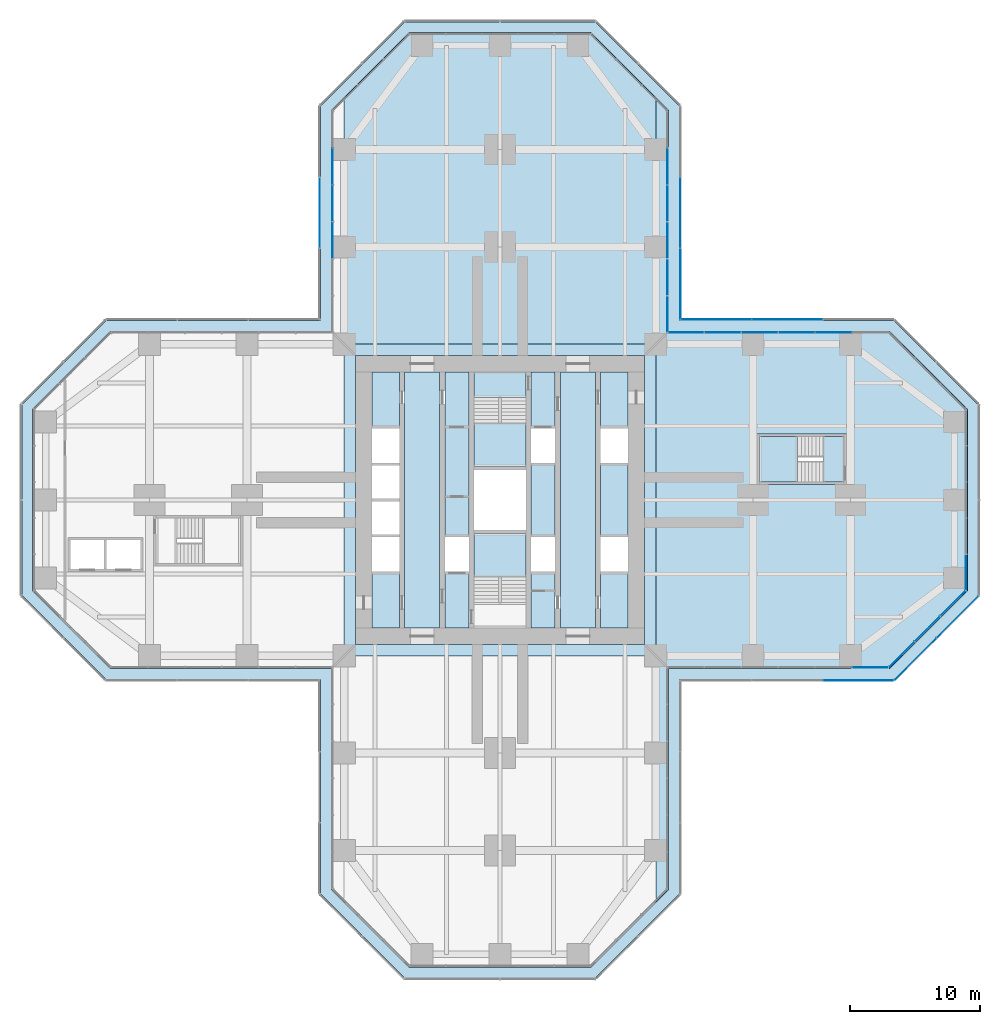
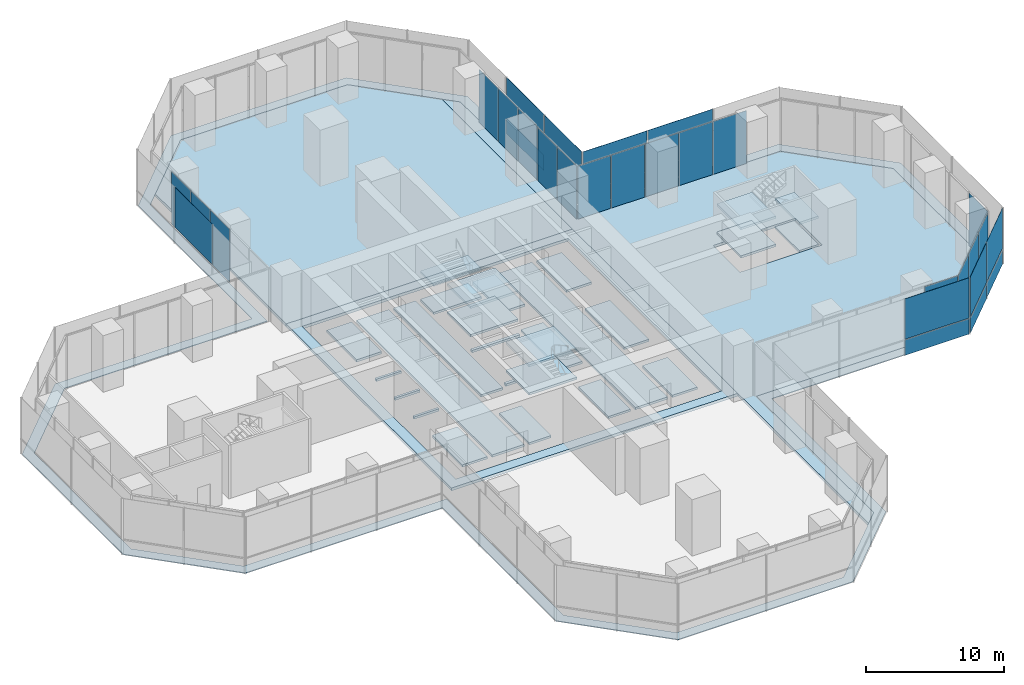
# One storey, part 15 of 23: 34 plates, 14 slabs, 14 elements without a shape of their own.
"""IFC4 building model written with IfcOpenShell, lengths in metres."""

from ifc_helpers import new_model, si_unit, direction, frame, origin, origin_2d, place, context, subcontext, project, spatial, polyline, rectangle, outline, extrude, material, layer, layer_set, type_object, element, aggregate, save


model = new_model("IFC4")

# Units and contexts
model_context = context("Model", 3, precision=1e-05, world=origin(), true_north=direction((0.0, 1.0)))
body_context = subcontext(model_context, "Body", "Model", "MODEL_VIEW")
ifc_project = project(units=[si_unit("LENGTHUNIT", "METRE"), si_unit("AREAUNIT", "SQUARE_METRE"), si_unit("VOLUMEUNIT", "CUBIC_METRE"), si_unit("PLANEANGLEUNIT", "RADIAN"), si_unit("MASSUNIT", "GRAM", prefix="KILO")], contexts=[model_context])

# Site, building, storey
site_placement = place(None, origin())
site = spatial("IfcSite", under=ifc_project, at=site_placement, CompositionType="ELEMENT")
building_placement = place(site_placement, origin())
building = spatial("IfcBuilding", under=site, at=building_placement, Name="Mizan Broadcast Tower", CompositionType="ELEMENT")
storey_placement = place(building_placement, frame((0.0, 0.0, 23.0)))
storey = spatial("IfcBuildingStorey", under=building, at=storey_placement, Name="L03", CompositionType="ELEMENT", Elevation=23.0)

# Plate
ifc_material_1 = material(Name="Aluminium grating", Category="aluminium")
ifc_layer_1 = layer(ifc_material_1, 0.050048828125)
ifc_layer_set_1 = layer_set([ifc_layer_1], Name="Aluminium grating")
plate_type_1 = type_object("IfcPlateType", Name="CAVITY GRATING", PredefinedType="USERDEFINED", material=ifc_layer_set_1)
plate_1_placement = place(storey_placement, frame((0.0, 0.0, -0.050048828125)))
element("IfcPlate", 1, at=plate_1_placement, inside=storey, type_object=plate_type_1, Name="Cavity grating L03", ObjectType="GRATING", PredefinedType="USERDEFINED", context=body_context, shape_type="SweptSolid", body=[
    extrude(outline(polyline([(7.339599609375, -36.820068359375), (13.820068359375, -30.339599609375), (13.820068359375, -13.820068359375), (30.339599609375, -13.820068359375), (36.820068359375, -7.339599609375), (36.820068359375, 7.339599609375), (30.339599609375, 13.820068359375), (13.820068359375, 13.820068359375), (13.820068359375, 30.339599609375), (7.339599609375, 36.820068359375), (-7.339599609375, 36.820068359375), (-13.820068359375, 30.339599609375), (-13.820068359375, 13.820068359375), (-30.339599609375, 13.820068359375), (-36.820068359375, 7.339599609375), (-36.820068359375, -7.339599609375), (-30.339599609375, -13.820068359375), (-13.820068359375, -13.820068359375), (-13.820068359375, -30.339599609375), (-7.339599609375, -36.820068359375), (7.339599609375, -36.820068359375)]), holes=[polyline([(36.0, -7.0), (30.0, -13.0), (13.0, -13.0), (13.0, -30.0), (7.0, -36.0), (-7.0, -36.0), (-13.0, -30.0), (-13.0, -13.0), (-30.0, -13.0), (-36.0, -7.0), (-36.0, 7.0), (-30.0, 13.0), (-13.0, 13.0), (-13.0, 30.0), (-7.0, 36.0), (7.0, 36.0), (13.0, 30.0), (13.0, 13.0), (30.0, 13.0), (36.0, 7.0), (36.0, -7.0)])]), origin(), (0.0, 0.0, 1.0), 0.050048828125),
])

# Slab
ifc_material_2 = material(Name="Concrete C40/50", Category="concrete")
ifc_layer_2 = layer(ifc_material_2, 0.199951171875)
ifc_layer_set_2 = layer_set([ifc_layer_2], Name="Concrete C40/50")
slab_type_1 = type_object("IfcSlabType", Name="CORE FLOOR 200", PredefinedType="FLOOR", material=ifc_layer_set_2)
slab_1_placement = place(storey_placement, frame((0.0, 0.0, -0.199951171875)))
element("IfcSlab", 2, at=slab_1_placement, inside=storey, type_object=slab_type_1, Name="Core floor L03", PredefinedType="FLOOR", context=body_context, shape_type="SweptSolid", body=[
    extrude(outline(polyline([(-9.85009765625, -9.85009765625), (-7.75, -9.85009765625), (-7.75, -5.5), (-9.85009765625, -5.5), (-9.85009765625, -9.85009765625)])), origin(), (0.0, 0.0, 1.0), 0.199951171875),
    extrude(outline(polyline([(-9.85009765625, -2.85009765625), (-7.75, -2.85009765625), (-7.75, -2.64990234375), (-9.85009765625, -2.64990234375), (-9.85009765625, -2.85009765625)])), origin(), (0.0, 0.0, 1.0), 0.199951171875),
    extrude(outline(polyline([(-9.85009765625, -0.10009765625), (-7.75, -0.10009765625), (-7.75, 0.10009765625), (-9.85009765625, 0.10009765625), (-9.85009765625, -0.10009765625)])), origin(), (0.0, 0.0, 1.0), 0.199951171875),
    extrude(outline(polyline([(-9.85009765625, 2.64990234375), (-7.75, 2.64990234375), (-7.75, 2.85009765625), (-9.85009765625, 2.85009765625), (-9.85009765625, 2.64990234375)])), origin(), (0.0, 0.0, 1.0), 0.199951171875),
    extrude(outline(polyline([(-9.85009765625, 5.5), (-7.75, 5.5), (-7.75, 9.85009765625), (-9.85009765625, 9.85009765625), (-9.85009765625, 5.5)])), origin(), (0.0, 0.0, 1.0), 0.199951171875),
    extrude(outline(polyline([(-4.64990234375, 9.85009765625), (-7.35009765625, 9.85009765625), (-7.35009765625, -9.85009765625), (-4.64990234375, -9.85009765625), (-4.64990234375, 9.85009765625)])), origin(), (0.0, 0.0, 1.0), 0.199951171875),
    extrude(outline(polyline([(-4.25, -5.5), (-4.25, -9.85009765625), (-2.39990234375, -9.85009765625), (-2.39990234375, -5.5), (-4.25, -5.5)])), origin(), (0.0, 0.0, 1.0), 0.199951171875),
    extrude(outline(polyline([(-4.25, -2.85009765625), (-2.39990234375, -2.85009765625), (-2.39990234375, 9.85009765625), (-4.25, 9.85009765625), (-4.25, -2.85009765625)])), origin(), (0.0, 0.0, 1.0), 0.199951171875),
    extrude(outline(polyline([(2.0, -2.324951171875), (-2.0, -2.324951171875), (-2.0, -2.574951171875), (2.0, -2.574951171875), (2.0, -2.324951171875)])), origin(), (0.0, 0.0, 1.0), 0.199951171875),
    extrude(outline(polyline([(2.0, 2.574951171875), (-2.0, 2.574951171875), (-2.0, 2.324951171875), (2.0, 2.324951171875), (2.0, 2.574951171875)])), origin(), (0.0, 0.0, 1.0), 0.199951171875),
    extrude(outline(polyline([(4.25, -9.85009765625), (4.25, -5.5), (2.39990234375, -5.5), (2.39990234375, -9.85009765625), (4.25, -9.85009765625)])), origin(), (0.0, 0.0, 1.0), 0.199951171875),
    extrude(outline(polyline([(4.25, -2.85009765625), (4.25, 2.85009765625), (2.39990234375, 2.85009765625), (2.39990234375, -2.85009765625), (4.25, -2.85009765625)])), origin(), (0.0, 0.0, 1.0), 0.199951171875),
    extrude(outline(polyline([(4.25, 5.5), (4.25, 9.85009765625), (2.39990234375, 9.85009765625), (2.39990234375, 5.5), (4.25, 5.5)])), origin(), (0.0, 0.0, 1.0), 0.199951171875),
    extrude(outline(polyline([(4.64990234375, 9.85009765625), (4.64990234375, -9.85009765625), (7.35009765625, -9.85009765625), (7.35009765625, 9.85009765625), (4.64990234375, 9.85009765625)])), origin(), (0.0, 0.0, 1.0), 0.199951171875),
    extrude(outline(polyline([(9.85009765625, -9.85009765625), (9.85009765625, -5.5), (7.75, -5.5), (7.75, -9.85009765625), (9.85009765625, -9.85009765625)])), origin(), (0.0, 0.0, 1.0), 0.199951171875),
    extrude(outline(polyline([(7.75, 2.85009765625), (7.75, -2.85009765625), (9.85009765625, -2.85009765625), (9.85009765625, 2.85009765625), (7.75, 2.85009765625)])), origin(), (0.0, 0.0, 1.0), 0.199951171875),
    extrude(outline(polyline([(9.85009765625, 5.5), (9.85009765625, 9.85009765625), (7.75, 9.85009765625), (7.75, 5.5), (9.85009765625, 5.5)])), origin(), (0.0, 0.0, 1.0), 0.199951171875),
])

# Curtain wall, plates
ifc_material_3 = material(Name="Aluminium framed glazing", Category="aluminium")
curtain_wall_type_1 = type_object("IfcCurtainWallType", Name="OUTER SKIN", PredefinedType="USERDEFINED", material=ifc_material_3)
curtain_wall_1_placement = place(storey_placement, origin())
curtain_wall_1 = element("IfcCurtainWall", 3, at=curtain_wall_1_placement, inside=storey, type_object=curtain_wall_type_1, Name="Outer skin L03 E side", ObjectType="OUTER SKIN", PredefinedType="USERDEFINED")
ifc_material_4 = material(Name="Laminated clear glass", Category="glass")
ifc_layer_3 = layer(ifc_material_4, 0.02001953125)
ifc_layer_set_3 = layer_set([ifc_layer_3], Name="Laminated clear glass")
plate_type_2 = type_object("IfcPlateType", Name="OUTER SKIN CLEAR GLASS", PredefinedType="CURTAIN_PANEL", material=ifc_layer_set_3)
plate_2_placement = place(storey_placement, frame((27.607421875, -13.89990234375, 0.0), z_axis=(0.0, 0.0, 1.0), x_axis=(1.0, 0.0, 0.0)))
plate_2 = element("IfcPlate", 4, at=plate_2_placement, type_object=plate_type_2, Name="Outer skin L03 E side panel 3.1", PredefinedType="CURTAIN_PANEL", context=body_context, shape_type="SweptSolid", body=[
    extrude(rectangle(XDim=5.370849609375, YDim=0.02001953125, at=origin_2d()), origin(), (0.0, 0.0, 1.0), 1.3701171875),
])
plate_3_placement = place(storey_placement, frame((27.607421875, -13.89990234375, 1.43017578125), z_axis=(0.0, 0.0, 1.0), x_axis=(1.0, 0.0, 0.0)))
plate_3 = element("IfcPlate", 5, at=plate_3_placement, type_object=plate_type_2, Name="Outer skin L03 E side panel 3.2", PredefinedType="CURTAIN_PANEL", context=body_context, shape_type="SweptSolid", body=[
    extrude(rectangle(XDim=5.370849609375, YDim=0.02001953125, at=origin_2d()), origin(), (0.0, 0.0, 1.0), 3.570068359375),
])
aggregate(curtain_wall_1, [plate_2, plate_3])

curtain_wall_2_placement = place(storey_placement, origin())
curtain_wall_2 = element("IfcCurtainWall", 6, at=curtain_wall_2_placement, inside=storey, type_object=curtain_wall_type_1, Name="Outer skin L03 E chamfer", ObjectType="OUTER SKIN", PredefinedType="USERDEFINED")
plate_4_placement = place(storey_placement, frame((32.018798828125, -12.254150390625, 0.0), z_axis=(0.0, 0.0, 1.0), x_axis=(0.707106781187, 0.707106781187, 0.0)))
plate_4 = element("IfcPlate", 7, at=plate_4_placement, type_object=plate_type_2, Name="Outer skin L03 E chamfer panel 1.1", PredefinedType="CURTAIN_PANEL", context=body_context, shape_type="SweptSolid", body=[
    extrude(rectangle(XDim=4.495361328125, YDim=0.02001953125, at=origin_2d()), origin(), (0.0, 0.0, 1.0), 1.3701171875),
])
plate_5_placement = place(storey_placement, frame((32.018798828125, -12.254150390625, 1.43017578125), z_axis=(0.0, 0.0, 1.0), x_axis=(0.707106781187, 0.707106781187, 0.0)))
plate_5 = element("IfcPlate", 8, at=plate_5_placement, type_object=plate_type_2, Name="Outer skin L03 E chamfer panel 1.2", PredefinedType="CURTAIN_PANEL", context=body_context, shape_type="SweptSolid", body=[
    extrude(rectangle(XDim=4.495361328125, YDim=0.02001953125, at=origin_2d()), origin(), (0.0, 0.0, 1.0), 3.570068359375),
])

curtain_wall_3_placement = place(storey_placement, origin())
curtain_wall_3 = element("IfcCurtainWall", 9, at=curtain_wall_3_placement, inside=storey, type_object=curtain_wall_type_1, Name="Outer skin L03 E side", ObjectType="OUTER SKIN", PredefinedType="USERDEFINED")
plate_6_placement = place(storey_placement, frame((22.136474609375, 13.89990234375, 0.0), z_axis=(0.0, 0.0, 1.0), x_axis=(-1.0, 0.0, 0.0)))
plate_6 = element("IfcPlate", 10, at=plate_6_placement, type_object=plate_type_2, Name="Outer skin L03 E side panel 2.1", PredefinedType="CURTAIN_PANEL", context=body_context, shape_type="SweptSolid", body=[
    extrude(rectangle(XDim=5.410888671875, YDim=0.02001953125, at=origin_2d()), origin(), (0.0, 0.0, 1.0), 1.3701171875),
])
plate_7_placement = place(storey_placement, frame((22.136474609375, 13.89990234375, 1.43017578125), z_axis=(0.0, 0.0, 1.0), x_axis=(-1.0, 0.0, 0.0)))
plate_7 = element("IfcPlate", 11, at=plate_7_placement, type_object=plate_type_2, Name="Outer skin L03 E side panel 2.2", PredefinedType="CURTAIN_PANEL", context=body_context, shape_type="SweptSolid", body=[
    extrude(rectangle(XDim=5.410888671875, YDim=0.02001953125, at=origin_2d()), origin(), (0.0, 0.0, 1.0), 3.570068359375),
])
plate_8_placement = place(storey_placement, frame((16.66552734375, 13.89990234375, 0.0), z_axis=(0.0, 0.0, 1.0), x_axis=(-1.0, 0.0, 0.0)))
plate_8 = element("IfcPlate", 12, at=plate_8_placement, type_object=plate_type_2, Name="Outer skin L03 E side panel 3.1", PredefinedType="CURTAIN_PANEL", context=body_context, shape_type="SweptSolid", body=[
    extrude(rectangle(XDim=5.370849609375, YDim=0.02001953125, at=origin_2d()), origin(), (0.0, 0.0, 1.0), 1.3701171875),
])
plate_9_placement = place(storey_placement, frame((16.66552734375, 13.89990234375, 1.43017578125), z_axis=(0.0, 0.0, 1.0), x_axis=(-1.0, 0.0, 0.0)))
plate_9 = element("IfcPlate", 13, at=plate_9_placement, type_object=plate_type_2, Name="Outer skin L03 E side panel 3.2", PredefinedType="CURTAIN_PANEL", context=body_context, shape_type="SweptSolid", body=[
    extrude(rectangle(XDim=5.370849609375, YDim=0.02001953125, at=origin_2d()), origin(), (0.0, 0.0, 1.0), 3.570068359375),
])
aggregate(curtain_wall_3, [plate_6, plate_7, plate_8, plate_9])

curtain_wall_4_placement = place(storey_placement, origin())
curtain_wall_4 = element("IfcCurtainWall", 14, at=curtain_wall_4_placement, inside=storey, type_object=curtain_wall_type_1, Name="Outer skin L03 N side", ObjectType="OUTER SKIN", PredefinedType="USERDEFINED")
plate_10_placement = place(storey_placement, frame((13.89990234375, 16.66552734375, 0.0), z_axis=(0.0, 0.0, 1.0), x_axis=(0.0, 1.0, 0.0)))
plate_10 = element("IfcPlate", 15, at=plate_10_placement, type_object=plate_type_2, Name="Outer skin L03 N side panel 1.1", PredefinedType="CURTAIN_PANEL", context=body_context, shape_type="SweptSolid", body=[
    extrude(rectangle(XDim=5.370849609375, YDim=0.02001953125, at=origin_2d()), origin(), (0.0, 0.0, 1.0), 1.3701171875),
])
plate_11_placement = place(storey_placement, frame((13.89990234375, 16.66552734375, 1.43017578125), z_axis=(0.0, 0.0, 1.0), x_axis=(0.0, 1.0, 0.0)))
plate_11 = element("IfcPlate", 16, at=plate_11_placement, type_object=plate_type_2, Name="Outer skin L03 N side panel 1.2", PredefinedType="CURTAIN_PANEL", context=body_context, shape_type="SweptSolid", body=[
    extrude(rectangle(XDim=5.370849609375, YDim=0.02001953125, at=origin_2d()), origin(), (0.0, 0.0, 1.0), 3.570068359375),
])

# Plate
ifc_material_5 = material(Name="Perforated aluminium, pale anodised", Category="aluminium")
ifc_layer_4 = layer(ifc_material_5, 0.011962890625)
ifc_layer_set_4 = layer_set([ifc_layer_4], Name="Perforated aluminium, pale anodised")
plate_type_3 = type_object("IfcPlateType", Name="OUTER SKIN PERFORATED SCREEN", PredefinedType="USERDEFINED", material=ifc_layer_set_4)
plate_12_placement = place(storey_placement, frame((35.254150390625, -9.018798828125, 0.0), z_axis=(0.0, 0.0, 1.0), x_axis=(0.707106781187, 0.707106781187, 0.0)))
plate_12 = element("IfcPlate", 17, at=plate_12_placement, type_object=plate_type_3, Name="Outer skin L03 E chamfer panel 2.1", ObjectType="SCREEN", PredefinedType="USERDEFINED", context=body_context, shape_type="SweptSolid", body=[
    extrude(rectangle(XDim=4.495361328125, YDim=0.011962890625, at=origin_2d()), origin(), (0.0, 0.0, 1.0), 1.3701171875),
])

plate_13_placement = place(storey_placement, frame((35.254150390625, -9.018798828125, 1.43017578125), z_axis=(0.0, 0.0, 1.0), x_axis=(0.707106781187, 0.707106781187, 0.0)))
plate_13 = element("IfcPlate", 18, at=plate_13_placement, type_object=plate_type_3, Name="Outer skin L03 E chamfer panel 2.2", ObjectType="SCREEN", PredefinedType="USERDEFINED", context=body_context, shape_type="SweptSolid", body=[
    extrude(rectangle(XDim=4.495361328125, YDim=0.011962890625, at=origin_2d()), origin(), (0.0, 0.0, 1.0), 3.570068359375),
])

aggregate(curtain_wall_2, [plate_4, plate_5, plate_12, plate_13])

plate_14_placement = place(storey_placement, frame((13.89990234375, 22.136474609375, 0.0), z_axis=(0.0, 0.0, 1.0), x_axis=(0.0, 1.0, 0.0)))
plate_14 = element("IfcPlate", 19, at=plate_14_placement, type_object=plate_type_3, Name="Outer skin L03 N side panel 2.1", ObjectType="SCREEN", PredefinedType="USERDEFINED", context=body_context, shape_type="SweptSolid", body=[
    extrude(rectangle(XDim=5.410888671875, YDim=0.011962890625, at=origin_2d()), origin(), (0.0, 0.0, 1.0), 1.3701171875),
])

plate_15_placement = place(storey_placement, frame((13.89990234375, 22.136474609375, 1.43017578125), z_axis=(0.0, 0.0, 1.0), x_axis=(0.0, 1.0, 0.0)))
plate_15 = element("IfcPlate", 20, at=plate_15_placement, type_object=plate_type_3, Name="Outer skin L03 N side panel 2.2", ObjectType="SCREEN", PredefinedType="USERDEFINED", context=body_context, shape_type="SweptSolid", body=[
    extrude(rectangle(XDim=5.410888671875, YDim=0.011962890625, at=origin_2d()), origin(), (0.0, 0.0, 1.0), 3.570068359375),
])

aggregate(curtain_wall_4, [plate_10, plate_11, plate_14, plate_15])

# Curtain wall, plate
curtain_wall_5_placement = place(storey_placement, origin())
curtain_wall_5 = element("IfcCurtainWall", 21, at=curtain_wall_5_placement, inside=storey, type_object=curtain_wall_type_1, Name="Outer skin L03 N side", ObjectType="OUTER SKIN", PredefinedType="USERDEFINED")
plate_16_placement = place(storey_placement, frame((-13.89990234375, 22.136474609375, 1.43017578125), z_axis=(0.0, 0.0, 1.0), x_axis=(0.0, -1.0, 0.0)))
plate_16 = element("IfcPlate", 22, at=plate_16_placement, type_object=plate_type_3, Name="Outer skin L03 N side panel 2.2", ObjectType="SCREEN", PredefinedType="USERDEFINED", context=body_context, shape_type="SweptSolid", body=[
    extrude(rectangle(XDim=5.410888671875, YDim=0.011962890625, at=origin_2d()), origin(), (0.0, 0.0, 1.0), 3.570068359375),
])
aggregate(curtain_wall_5, [plate_16])

ifc_material_6 = material(Name="Aluminium framed glazing", Category="aluminium")
curtain_wall_type_2 = type_object("IfcCurtainWallType", Name="PODIUM CURTAIN WALL", PredefinedType="USERDEFINED", material=ifc_material_6)
curtain_wall_6_placement = place(storey_placement, origin())
curtain_wall_6 = element("IfcCurtainWall", 23, at=curtain_wall_6_placement, inside=storey, type_object=curtain_wall_type_2, Name="Podium curtain wall L03 E side", ObjectType="PODIUM CURTAIN WALL", PredefinedType="USERDEFINED")
ifc_material_7 = material(Name="Double glazing, clear laminated", Category="glass")
ifc_layer_5 = layer(ifc_material_7, 0.031982421875)
ifc_layer_set_5 = layer_set([ifc_layer_5], Name="Double glazing, clear laminated")
plate_type_4 = type_object("IfcPlateType", Name="PODIUM GLAZING UNIT", PredefinedType="CURTAIN_PANEL", material=ifc_layer_set_5)
plate_17_placement = place(storey_placement, frame((28.52197265625, -12.89990234375, 0.0), z_axis=(0.0, 0.0, 1.0), x_axis=(1.0, 0.0, 0.0)))
plate_17 = element("IfcPlate", 24, at=plate_17_placement, type_object=plate_type_4, Name="Podium curtain wall L03 E side panel 6.1", PredefinedType="CURTAIN_PANEL", context=body_context, shape_type="SweptSolid", body=[
    extrude(rectangle(XDim=2.753173828125, YDim=0.031982421875, at=origin_2d()), origin(), (0.0, 0.0, 1.0), 4.68994140625),
])
aggregate(curtain_wall_6, [plate_17])

# Curtain wall, plates
curtain_wall_7_placement = place(storey_placement, origin())
curtain_wall_7 = element("IfcCurtainWall", 25, at=curtain_wall_7_placement, inside=storey, type_object=curtain_wall_type_2, Name="Podium curtain wall L03 E chamfer", ObjectType="PODIUM CURTAIN WALL", PredefinedType="USERDEFINED")
plate_18_placement = place(storey_placement, frame((30.95947265625, -11.899169921875, 0.0), z_axis=(0.0, 0.0, 1.0), x_axis=(0.707106781187, 0.707106781187, 0.0)))
plate_18 = element("IfcPlate", 26, at=plate_18_placement, type_object=plate_type_4, Name="Podium curtain wall L03 E chamfer panel 1.1", PredefinedType="CURTAIN_PANEL", context=body_context, shape_type="SweptSolid", body=[
    extrude(rectangle(XDim=2.710693359375, YDim=0.031982421875, at=origin_2d()), origin(), (0.0, 0.0, 1.0), 4.68994140625),
])
plate_19_placement = place(storey_placement, frame((32.92919921875, -9.92919921875, 0.0), z_axis=(0.0, 0.0, 1.0), x_axis=(0.707106781187, 0.707106781187, 0.0)))
plate_19 = element("IfcPlate", 27, at=plate_19_placement, type_object=plate_type_4, Name="Podium curtain wall L03 E chamfer panel 2.1", PredefinedType="CURTAIN_PANEL", context=body_context, shape_type="SweptSolid", body=[
    extrude(rectangle(XDim=2.74072265625, YDim=0.031982421875, at=origin_2d()), origin(), (0.0, 0.0, 1.0), 4.68994140625),
])
plate_20_placement = place(storey_placement, frame((34.899169921875, -7.95947265625, 0.0), z_axis=(0.0, 0.0, 1.0), x_axis=(0.707106781187, 0.707106781187, 0.0)))
plate_20 = element("IfcPlate", 28, at=plate_20_placement, type_object=plate_type_4, Name="Podium curtain wall L03 E chamfer panel 3.1", PredefinedType="CURTAIN_PANEL", context=body_context, shape_type="SweptSolid", body=[
    extrude(rectangle(XDim=2.710693359375, YDim=0.031982421875, at=origin_2d()), origin(), (0.0, 0.0, 1.0), 4.68994140625),
])
aggregate(curtain_wall_7, [plate_18, plate_19, plate_20])

# Curtain wall, plate
curtain_wall_8_placement = place(storey_placement, origin())
curtain_wall_8 = element("IfcCurtainWall", 29, at=curtain_wall_8_placement, inside=storey, type_object=curtain_wall_type_2, Name="Podium curtain wall L03 E end", ObjectType="PODIUM CURTAIN WALL", PredefinedType="USERDEFINED")
plate_21_placement = place(storey_placement, frame((35.89990234375, -5.5517578125, 0.0), z_axis=(0.0, 0.0, 1.0), x_axis=(0.0, 1.0, 0.0)))
plate_21 = element("IfcPlate", 30, at=plate_21_placement, type_object=plate_type_4, Name="Podium curtain wall L03 E end panel 1.1", PredefinedType="CURTAIN_PANEL", context=body_context, shape_type="SweptSolid", body=[
    extrude(rectangle(XDim=2.693359375, YDim=0.031982421875, at=origin_2d()), origin(), (0.0, 0.0, 1.0), 4.68994140625),
])
aggregate(curtain_wall_8, [plate_21])

# Curtain wall, plates
curtain_wall_9_placement = place(storey_placement, origin())
curtain_wall_9 = element("IfcCurtainWall", 31, at=curtain_wall_9_placement, inside=storey, type_object=curtain_wall_type_2, Name="Podium curtain wall L03 E side", ObjectType="PODIUM CURTAIN WALL", PredefinedType="USERDEFINED")
plate_22_placement = place(storey_placement, frame((25.69384765625, 12.89990234375, 0.0), z_axis=(0.0, 0.0, 1.0), x_axis=(-1.0, 0.0, 0.0)))
plate_22 = element("IfcPlate", 32, at=plate_22_placement, type_object=plate_type_4, Name="Podium curtain wall L03 E side panel 2.1", PredefinedType="CURTAIN_PANEL", context=body_context, shape_type="SweptSolid", body=[
    extrude(rectangle(XDim=2.783203125, YDim=0.031982421875, at=origin_2d()), origin(), (0.0, 0.0, 1.0), 4.68994140625),
])
plate_23_placement = place(storey_placement, frame((22.850830078125, 12.89990234375, 0.0), z_axis=(0.0, 0.0, 1.0), x_axis=(-1.0, 0.0, 0.0)))
plate_23 = element("IfcPlate", 33, at=plate_23_placement, type_object=plate_type_4, Name="Podium curtain wall L03 E side panel 3.1", PredefinedType="CURTAIN_PANEL", context=body_context, shape_type="SweptSolid", body=[
    extrude(rectangle(XDim=2.783203125, YDim=0.031982421875, at=origin_2d()), origin(), (0.0, 0.0, 1.0), 4.68994140625),
])
plate_24_placement = place(storey_placement, frame((20.0078125, 12.89990234375, 0.0), z_axis=(0.0, 0.0, 1.0), x_axis=(-1.0, 0.0, 0.0)))
plate_24 = element("IfcPlate", 34, at=plate_24_placement, type_object=plate_type_4, Name="Podium curtain wall L03 E side panel 4.1", PredefinedType="CURTAIN_PANEL", context=body_context, shape_type="SweptSolid", body=[
    extrude(rectangle(XDim=2.783203125, YDim=0.031982421875, at=origin_2d()), origin(), (0.0, 0.0, 1.0), 4.68994140625),
])
plate_25_placement = place(storey_placement, frame((17.16455078125, 12.89990234375, 0.0), z_axis=(0.0, 0.0, 1.0), x_axis=(-1.0, 0.0, 0.0)))
plate_25 = element("IfcPlate", 35, at=plate_25_placement, type_object=plate_type_4, Name="Podium curtain wall L03 E side panel 5.1", PredefinedType="CURTAIN_PANEL", context=body_context, shape_type="SweptSolid", body=[
    extrude(rectangle(XDim=2.783203125, YDim=0.031982421875, at=origin_2d()), origin(), (0.0, 0.0, 1.0), 4.68994140625),
])
plate_26_placement = place(storey_placement, frame((14.336669921875, 12.89990234375, 0.0), z_axis=(0.0, 0.0, 1.0), x_axis=(-1.0, 0.0, 0.0)))
plate_26 = element("IfcPlate", 36, at=plate_26_placement, type_object=plate_type_4, Name="Podium curtain wall L03 E side panel 6.1", PredefinedType="CURTAIN_PANEL", context=body_context, shape_type="SweptSolid", body=[
    extrude(rectangle(XDim=2.753173828125, YDim=0.031982421875, at=origin_2d()), origin(), (0.0, 0.0, 1.0), 4.68994140625),
])
aggregate(curtain_wall_9, [plate_22, plate_23, plate_24, plate_25, plate_26])

curtain_wall_10_placement = place(storey_placement, origin())
curtain_wall_10 = element("IfcCurtainWall", 37, at=curtain_wall_10_placement, inside=storey, type_object=curtain_wall_type_2, Name="Podium curtain wall L03 N side", ObjectType="PODIUM CURTAIN WALL", PredefinedType="USERDEFINED")
plate_27_placement = place(storey_placement, frame((12.89990234375, 14.336669921875, 0.0), z_axis=(0.0, 0.0, 1.0), x_axis=(0.0, 1.0, 0.0)))
plate_27 = element("IfcPlate", 38, at=plate_27_placement, type_object=plate_type_4, Name="Podium curtain wall L03 N side panel 1.1", PredefinedType="CURTAIN_PANEL", context=body_context, shape_type="SweptSolid", body=[
    extrude(rectangle(XDim=2.753173828125, YDim=0.031982421875, at=origin_2d()), origin(), (0.0, 0.0, 1.0), 4.68994140625),
])
plate_28_placement = place(storey_placement, frame((12.89990234375, 17.16455078125, 0.0), z_axis=(0.0, 0.0, 1.0), x_axis=(0.0, 1.0, 0.0)))
plate_28 = element("IfcPlate", 39, at=plate_28_placement, type_object=plate_type_4, Name="Podium curtain wall L03 N side panel 2.1", PredefinedType="CURTAIN_PANEL", context=body_context, shape_type="SweptSolid", body=[
    extrude(rectangle(XDim=2.783203125, YDim=0.031982421875, at=origin_2d()), origin(), (0.0, 0.0, 1.0), 4.68994140625),
])
plate_29_placement = place(storey_placement, frame((12.89990234375, 20.0078125, 0.0), z_axis=(0.0, 0.0, 1.0), x_axis=(0.0, 1.0, 0.0)))
plate_29 = element("IfcPlate", 40, at=plate_29_placement, type_object=plate_type_4, Name="Podium curtain wall L03 N side panel 3.1", PredefinedType="CURTAIN_PANEL", context=body_context, shape_type="SweptSolid", body=[
    extrude(rectangle(XDim=2.783203125, YDim=0.031982421875, at=origin_2d()), origin(), (0.0, 0.0, 1.0), 4.68994140625),
])
plate_30_placement = place(storey_placement, frame((12.89990234375, 22.850830078125, 0.0), z_axis=(0.0, 0.0, 1.0), x_axis=(0.0, 1.0, 0.0)))
plate_30 = element("IfcPlate", 41, at=plate_30_placement, type_object=plate_type_4, Name="Podium curtain wall L03 N side panel 4.1", PredefinedType="CURTAIN_PANEL", context=body_context, shape_type="SweptSolid", body=[
    extrude(rectangle(XDim=2.783203125, YDim=0.031982421875, at=origin_2d()), origin(), (0.0, 0.0, 1.0), 4.68994140625),
])
plate_31_placement = place(storey_placement, frame((12.89990234375, 25.69384765625, 0.0), z_axis=(0.0, 0.0, 1.0), x_axis=(0.0, 1.0, 0.0)))
plate_31 = element("IfcPlate", 42, at=plate_31_placement, type_object=plate_type_4, Name="Podium curtain wall L03 N side panel 5.1", PredefinedType="CURTAIN_PANEL", context=body_context, shape_type="SweptSolid", body=[
    extrude(rectangle(XDim=2.783203125, YDim=0.031982421875, at=origin_2d()), origin(), (0.0, 0.0, 1.0), 4.68994140625),
])
aggregate(curtain_wall_10, [plate_27, plate_28, plate_29, plate_30, plate_31])

curtain_wall_11_placement = place(storey_placement, origin())
curtain_wall_11 = element("IfcCurtainWall", 43, at=curtain_wall_11_placement, inside=storey, type_object=curtain_wall_type_2, Name="Podium curtain wall L03 N side", ObjectType="PODIUM CURTAIN WALL", PredefinedType="USERDEFINED")
plate_32_placement = place(storey_placement, frame((-12.89990234375, 25.69384765625, 0.0), z_axis=(0.0, 0.0, 1.0), x_axis=(0.0, -1.0, 0.0)))
plate_32 = element("IfcPlate", 44, at=plate_32_placement, type_object=plate_type_4, Name="Podium curtain wall L03 N side panel 2.1", PredefinedType="CURTAIN_PANEL", context=body_context, shape_type="SweptSolid", body=[
    extrude(rectangle(XDim=2.783203125, YDim=0.031982421875, at=origin_2d()), origin(), (0.0, 0.0, 1.0), 4.68994140625),
])
plate_33_placement = place(storey_placement, frame((-12.89990234375, 22.850830078125, 0.0), z_axis=(0.0, 0.0, 1.0), x_axis=(0.0, -1.0, 0.0)))
plate_33 = element("IfcPlate", 45, at=plate_33_placement, type_object=plate_type_4, Name="Podium curtain wall L03 N side panel 3.1", PredefinedType="CURTAIN_PANEL", context=body_context, shape_type="SweptSolid", body=[
    extrude(rectangle(XDim=2.783203125, YDim=0.031982421875, at=origin_2d()), origin(), (0.0, 0.0, 1.0), 4.68994140625),
])
plate_34_placement = place(storey_placement, frame((-12.89990234375, 20.0078125, 0.0), z_axis=(0.0, 0.0, 1.0), x_axis=(0.0, -1.0, 0.0)))
plate_34 = element("IfcPlate", 46, at=plate_34_placement, type_object=plate_type_4, Name="Podium curtain wall L03 N side panel 4.1", PredefinedType="CURTAIN_PANEL", context=body_context, shape_type="SweptSolid", body=[
    extrude(rectangle(XDim=2.783203125, YDim=0.031982421875, at=origin_2d()), origin(), (0.0, 0.0, 1.0), 4.68994140625),
])
aggregate(curtain_wall_11, [plate_32, plate_33, plate_34])

# Slabs
ifc_material_8 = material(Name="Concrete C40/50", Category="concrete")
ifc_layer_6 = layer(ifc_material_8, 0.25)
ifc_layer_set_6 = layer_set([ifc_layer_6], Name="Concrete C40/50")
slab_type_2 = type_object("IfcSlabType", Name="RC FLAT SLAB 250", PredefinedType="FLOOR", material=ifc_layer_set_6)
slab_2_placement = place(storey_placement, frame((0.0, 0.0, -0.25)))
element("IfcSlab", 47, at=slab_2_placement, inside=storey, type_object=slab_type_2, Name="Floor slab L03 centre", PredefinedType="FLOOR", context=body_context, shape_type="SweptSolid", body=[
    extrude(outline(polyline([(-12.0, -12.0), (12.0, -12.0), (12.0, 12.0), (-12.0, 12.0), (-12.0, -12.0)]), holes=[polyline([(11.14990234375, 11.14990234375), (11.14990234375, -11.14990234375), (-11.14990234375, -11.14990234375), (-11.14990234375, 11.14990234375), (11.14990234375, 11.14990234375)])]), origin(), (0.0, 0.0, 1.0), 0.25),
])
slab_3_placement = place(storey_placement, frame((0.0, 0.0, -0.25)))
element("IfcSlab", 48, at=slab_3_placement, inside=storey, type_object=slab_type_2, Name="Floor slab L03 east arm", PredefinedType="FLOOR", context=body_context, shape_type="SweptSolid", body=[
    extrude(outline(polyline([(13.0, 30.0), (12.0, 31.0), (12.0, -31.0), (13.0, -30.0), (13.0, -13.0), (30.0, -13.0), (36.0, -7.0), (36.0, 7.0), (30.0, 13.0), (13.0, 13.0), (13.0, 30.0)]), holes=[polyline([(19.800048828125, 1.199951171875), (19.800048828125, 5.10009765625), (26.699951171875, 5.10009765625), (26.699951171875, 1.199951171875), (19.800048828125, 1.199951171875)])]), origin(), (0.0, 0.0, 1.0), 0.25),
])
slab_4_placement = place(storey_placement, frame((0.0, 0.0, -0.25)))
element("IfcSlab", 49, at=slab_4_placement, inside=storey, type_object=slab_type_2, Name="Floor slab L03 north arm", PredefinedType="FLOOR", context=body_context, shape_type="SweptSolid", body=[
    extrude(outline(polyline([(-7.0, 36.0), (-12.0, 31.0), (-12.0, 12.0), (12.0, 12.0), (12.0, 31.0), (7.0, 36.0), (-7.0, 36.0)])), origin(), (0.0, 0.0, 1.0), 0.25),
])

# Stair, slabs
ifc_material_9 = material(Name="Concrete C40/50", Category="concrete")
stair_type = type_object("IfcStairType", Name="EXIT STAIR", PredefinedType="HALF_TURN_STAIR", material=ifc_material_9)
stair_1_placement = place(storey_placement, origin())
stair_1 = element("IfcStair", 50, at=stair_1_placement, inside=storey, type_object=stair_type, Name="Stair A L03", PredefinedType="HALF_TURN_STAIR")
ifc_material_10 = material(Name="Concrete C40/50", Category="concrete")
ifc_layer_7 = layer(ifc_material_10, 0.199951171875)
ifc_layer_set_7 = layer_set([ifc_layer_7], Name="Concrete C40/50")
slab_type_3 = type_object("IfcSlabType", Name="STAIR LANDING 200", PredefinedType="LANDING", material=ifc_layer_set_7)
slab_5_placement = place(storey_placement, frame((0.0, 0.0, 1.050048828125)))
slab_5 = element("IfcSlab", 51, at=slab_5_placement, type_object=slab_type_3, Name="A landing 2", PredefinedType="LANDING", context=body_context, shape_type="SweptSolid", body=[
    extrude(outline(polyline([(-2.0, -5.93994140625), (-2.0, -2.574951171875), (2.0, -2.574951171875), (2.0, -5.93994140625), (-2.0, -5.93994140625)])), origin(), (0.0, 0.0, 1.0), 0.199951171875),
])
slab_6_placement = place(storey_placement, frame((0.0, 0.0, 3.550048828125)))
slab_6 = element("IfcSlab", 52, at=slab_6_placement, type_object=slab_type_3, Name="A landing 4", PredefinedType="LANDING", context=body_context, shape_type="SweptSolid", body=[
    extrude(outline(polyline([(-2.0, -5.93994140625), (-2.0, -2.574951171875), (2.0, -2.574951171875), (2.0, -5.93994140625), (-2.0, -5.93994140625)])), origin(), (0.0, 0.0, 1.0), 0.199951171875),
])
aggregate(stair_1, [slab_5, slab_6])

stair_2_placement = place(storey_placement, origin())
stair_2 = element("IfcStair", 53, at=stair_2_placement, inside=storey, type_object=stair_type, Name="Stair B L03", PredefinedType="HALF_TURN_STAIR")
slab_7_placement = place(storey_placement, frame((0.0, 0.0, -0.199951171875)))
slab_7 = element("IfcSlab", 54, at=slab_7_placement, type_object=slab_type_3, Name="B landing 1", PredefinedType="LANDING", context=body_context, shape_type="SweptSolid", body=[
    extrude(outline(polyline([(2.0, 9.85009765625), (2.0, 7.89990234375), (-2.0, 7.89990234375), (-2.0, 9.85009765625), (2.0, 9.85009765625)])), origin(), (0.0, 0.0, 1.0), 0.199951171875),
])
slab_8_placement = place(storey_placement, frame((0.0, 0.0, 1.050048828125)))
slab_8 = element("IfcSlab", 55, at=slab_8_placement, type_object=slab_type_3, Name="B landing 2", PredefinedType="LANDING", context=body_context, shape_type="SweptSolid", body=[
    extrude(outline(polyline([(2.0, 5.93994140625), (2.0, 2.574951171875), (-2.0, 2.574951171875), (-2.0, 5.93994140625), (2.0, 5.93994140625)])), origin(), (0.0, 0.0, 1.0), 0.199951171875),
])
slab_9_placement = place(storey_placement, frame((0.0, 0.0, 2.300048828125)))
slab_9 = element("IfcSlab", 56, at=slab_9_placement, type_object=slab_type_3, Name="B landing 3", PredefinedType="LANDING", context=body_context, shape_type="SweptSolid", body=[
    extrude(outline(polyline([(2.0, 9.85009765625), (2.0, 7.89990234375), (-2.0, 7.89990234375), (-2.0, 9.85009765625), (2.0, 9.85009765625)])), origin(), (0.0, 0.0, 1.0), 0.199951171875),
])
slab_10_placement = place(storey_placement, frame((0.0, 0.0, 3.550048828125)))
slab_10 = element("IfcSlab", 57, at=slab_10_placement, type_object=slab_type_3, Name="B landing 4", PredefinedType="LANDING", context=body_context, shape_type="SweptSolid", body=[
    extrude(outline(polyline([(2.0, 5.93994140625), (2.0, 2.574951171875), (-2.0, 2.574951171875), (-2.0, 5.93994140625), (2.0, 5.93994140625)])), origin(), (0.0, 0.0, 1.0), 0.199951171875),
])
aggregate(stair_2, [slab_7, slab_8, slab_9, slab_10])

stair_3_placement = place(storey_placement, origin())
stair_3 = element("IfcStair", 58, at=stair_3_placement, inside=storey, type_object=stair_type, Name="Stair C L03", PredefinedType="HALF_TURN_STAIR")
slab_11_placement = place(storey_placement, frame((0.0, 0.0, -0.199951171875)))
slab_11 = element("IfcSlab", 59, at=slab_11_placement, type_object=slab_type_3, Name="C landing 1", PredefinedType="LANDING", context=body_context, shape_type="SweptSolid", body=[
    extrude(outline(polyline([(26.5, 1.39990234375), (24.889892578125, 1.39990234375), (24.889892578125, 4.89990234375), (26.5, 4.89990234375), (26.5, 1.39990234375)])), origin(), (0.0, 0.0, 1.0), 0.199951171875),
])
slab_12_placement = place(storey_placement, frame((0.0, 0.0, 1.050048828125)))
slab_12 = element("IfcSlab", 60, at=slab_12_placement, type_object=slab_type_3, Name="C landing 2", PredefinedType="LANDING", context=body_context, shape_type="SweptSolid", body=[
    extrude(outline(polyline([(22.929931640625, 1.39990234375), (20.0, 1.39990234375), (20.0, 4.89990234375), (22.929931640625, 4.89990234375), (22.929931640625, 1.39990234375)])), origin(), (0.0, 0.0, 1.0), 0.199951171875),
])
slab_13_placement = place(storey_placement, frame((0.0, 0.0, 2.300048828125)))
slab_13 = element("IfcSlab", 61, at=slab_13_placement, type_object=slab_type_3, Name="C landing 3", PredefinedType="LANDING", context=body_context, shape_type="SweptSolid", body=[
    extrude(outline(polyline([(26.5, 1.39990234375), (24.889892578125, 1.39990234375), (24.889892578125, 4.89990234375), (26.5, 4.89990234375), (26.5, 1.39990234375)])), origin(), (0.0, 0.0, 1.0), 0.199951171875),
])
slab_14_placement = place(storey_placement, frame((0.0, 0.0, 3.550048828125)))
slab_14 = element("IfcSlab", 62, at=slab_14_placement, type_object=slab_type_3, Name="C landing 4", PredefinedType="LANDING", context=body_context, shape_type="SweptSolid", body=[
    extrude(outline(polyline([(22.929931640625, 1.39990234375), (20.0, 1.39990234375), (20.0, 4.89990234375), (22.929931640625, 4.89990234375), (22.929931640625, 1.39990234375)])), origin(), (0.0, 0.0, 1.0), 0.199951171875),
])
aggregate(stair_3, [slab_11, slab_12, slab_13, slab_14])

save(model, "model.ifc")
